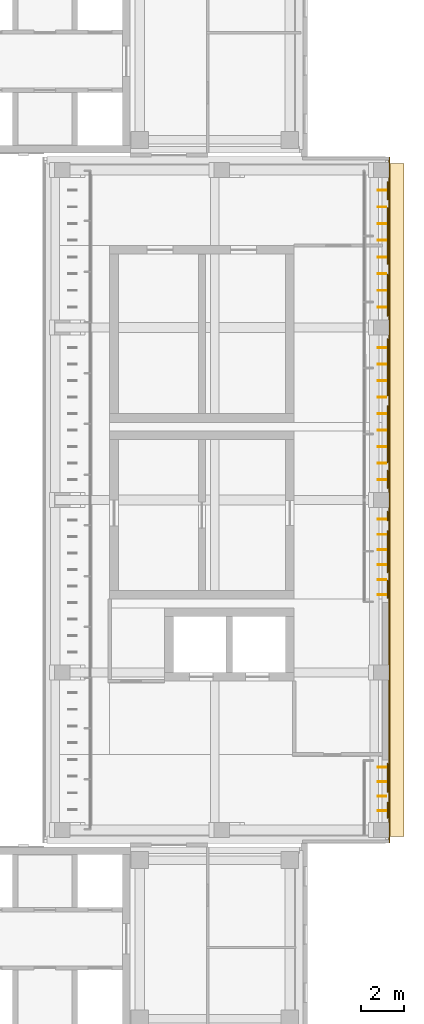
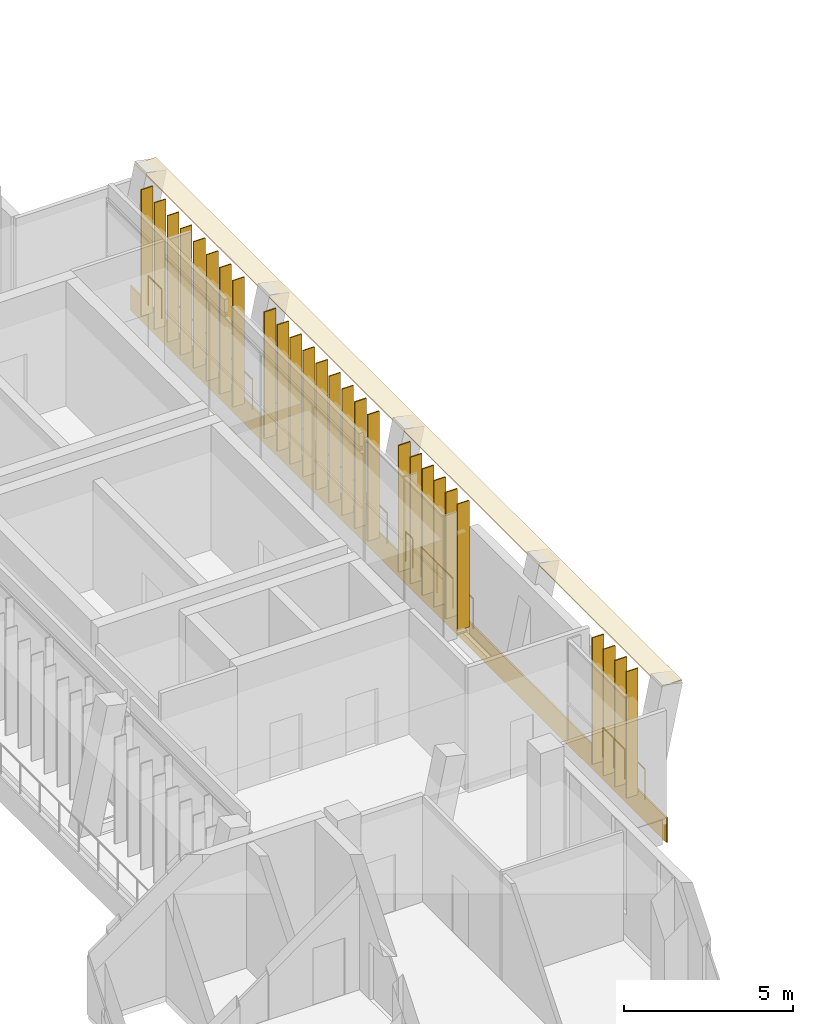
# One storey, part 72 of 74: 27 shading devices, 11 railings, 2 coverings.
"""IFC4 building model written with IfcOpenShell, lengths in metres."""

import ifcopenshell
import ifcopenshell.guid

model = None  # the IFC model being written
_history = None  # IfcOwnerHistory: only IFC2X3 demands one
_inside = {}  # id of a spatial element -> (the spatial element, [elements in it])
_under = {}  # id of a project, library or spatial element -> (it, [spatial elements below it])
_declared = {}  # id of a project -> (the project, [libraries it declares])
_typed = {}  # id of a type object -> (the type object, [elements of that type])
_made_of = {}  # id of a material, layer set ... -> (it, [elements and type objects made of it])


def new_model(schema):
    """Start an empty IFC model of exactly this schema.

    Asked for "IFC4X3", IfcOpenShell would pick the latest addendum, in which some entities
    have other attributes; the version numbers below select the first issue.
    IFC2X3 requires an IfcOwnerHistory on every rooted entity: one is made here for all.
    """
    global model, _history
    if schema == "IFC4X3":
        model = ifcopenshell.file(schema_version=(4, 3, 0, 0))
    else:
        model = ifcopenshell.file(schema=schema)
    _inside.clear()
    _under.clear()
    _declared.clear()
    _typed.clear()
    _made_of.clear()
    _history = None
    if model.schema == "IFC2X3":
        org = make("IfcOrganization", Name="unknown")
        user = make(
            "IfcPersonAndOrganization",
            ThePerson=make("IfcPerson", FamilyName="unknown"),
            TheOrganization=org,
        )
        app = make(
            "IfcApplication",
            ApplicationDeveloper=org,
            Version="unknown",
            ApplicationFullName="unknown",
            ApplicationIdentifier="unknown",
        )
        _history = make(
            "IfcOwnerHistory",
            OwningUser=user,
            OwningApplication=app,
            ChangeAction="ADDED",
            CreationDate=0,
        )
    return model


def make(cls, **values):
    """One entity of the class cls with the attributes given. An attribute that is None is left unset."""
    return model.create_entity(
        cls, **{name: value for name, value in values.items() if value is not None}
    )


def rooted(cls, **values):
    """An entity with a GlobalId (a new one), such as an element, a storey or a relation."""
    return make(cls, GlobalId=ifcopenshell.guid.new(), OwnerHistory=_history, **values)


def si_unit(unit_type, name, prefix=None):
    """IfcSIUnit, for example si_unit("LENGTHUNIT", "METRE", prefix="MILLI")."""
    return make("IfcSIUnit", UnitType=unit_type, Prefix=prefix, Name=name)


def assignment(units):
    """IfcUnitAssignment: the units of a project."""
    return None if units is None else make("IfcUnitAssignment", Units=units)


def point(xyz):
    """IfcCartesianPoint."""
    return None if xyz is None else make("IfcCartesianPoint", Coordinates=xyz)


def direction(xyz):
    """IfcDirection."""
    return None if xyz is None else make("IfcDirection", DirectionRatios=xyz)


def frame(location, z_axis=None, x_axis=None):
    """IfcAxis2Placement3D, a coordinate frame: its origin and axes. An axis left out is left unset."""
    return make(
        "IfcAxis2Placement3D",
        Location=point(location),
        Axis=direction(z_axis),
        RefDirection=direction(x_axis),
    )


def frame_2d(location, x_axis=None):
    """IfcAxis2Placement2D, a coordinate frame in the plane: its origin and x axis."""
    return make(
        "IfcAxis2Placement2D", Location=point(location), RefDirection=direction(x_axis)
    )


def origin():
    """The frame at (0, 0, 0) with its axes left unset."""
    return frame((0.0, 0.0, 0.0))


def origin_2d():
    """The frame at (0, 0) in the plane with its x axis left unset."""
    return frame_2d((0.0, 0.0))


def place(relative_to, where):
    """IfcLocalPlacement: puts the frame where relative to a parent placement (None: the world)."""
    return make(
        "IfcLocalPlacement", PlacementRelTo=relative_to, RelativePlacement=where
    )


def context(
    kind, dimensions, precision=None, world=None, true_north=None, identifier=None
):
    """IfcGeometricRepresentationContext, for example the 3D "Model" context."""
    return make(
        "IfcGeometricRepresentationContext",
        ContextIdentifier=identifier,
        ContextType=kind,
        CoordinateSpaceDimension=dimensions,
        Precision=precision,
        WorldCoordinateSystem=world,
        TrueNorth=true_north,
    )


def subcontext(parent, identifier, kind, view, scale=None):
    """IfcGeometricRepresentationSubContext, for example "Body" below "Model"."""
    return make(
        "IfcGeometricRepresentationSubContext",
        ContextIdentifier=identifier,
        ContextType=kind,
        ParentContext=parent,
        TargetScale=scale,
        TargetView=view,
    )


def project(units=None, contexts=None):
    """IfcProject with its units and contexts."""
    return rooted(
        "IfcProject",
        Name="project",
        RepresentationContexts=contexts,
        UnitsInContext=assignment(units),
    )


def spatial(cls, under=None, at=None, **own):
    """A site, building, storey or space (cls), placed at a placement, below another one or the project."""
    s = rooted(cls, ObjectPlacement=at, **own)
    if under is not None:
        _under.setdefault(under.id(), (under, []))[1].append(s)
    return s


def profile(cls, at=None, kind="AREA", **sizes):
    """A parametric profile (cls). Its sizes go by their IFC names, for example OverallWidth=200.0."""
    return make(cls, ProfileType=kind, Position=at, **sizes)


def rectangle(**sizes):
    """IfcRectangleProfileDef."""
    return profile("IfcRectangleProfileDef", **sizes)


def circle(**sizes):
    """IfcCircleProfileDef."""
    return profile("IfcCircleProfileDef", **sizes)


def extrude(swept, where, along, depth):
    """IfcExtrudedAreaSolid: the profile swept, set in the frame where, extruded along a direction by depth."""
    return make(
        "IfcExtrudedAreaSolid",
        SweptArea=swept,
        Position=where,
        ExtrudedDirection=direction(along),
        Depth=depth,
    )


def shape(context_of_items, identifier, shape_type, items):
    """IfcShapeRepresentation: the items that make up one representation, for example the "Body"."""
    return make(
        "IfcShapeRepresentation",
        ContextOfItems=context_of_items,
        RepresentationIdentifier=identifier,
        RepresentationType=shape_type,
        Items=items,
    )


def material(Name=None, Category=None):
    """IfcMaterial."""
    return make("IfcMaterial", Name=Name, Category=Category)


def layer(
    of_material, thickness, ventilated=None, Name=None, Category=None, Priority=None
):
    """IfcMaterialLayer: one layer of a wall or slab, of a material (None: an air gap)."""
    return make(
        "IfcMaterialLayer",
        Material=of_material,
        LayerThickness=thickness,
        IsVentilated=ventilated,
        Name=Name,
        Category=Category,
        Priority=Priority,
    )


def layer_set(layers, Name=None):
    """IfcMaterialLayerSet."""
    return make("IfcMaterialLayerSet", MaterialLayers=layers, LayerSetName=Name)


def made_of(thing, what):
    """Note that an element or type object is made of a material, layer set ...; save() writes the relation."""
    if what is not None:
        _made_of.setdefault(what.id(), (what, []))[1].append(thing)
    return thing


def type_object(cls, material=None, **own):
    """A type object (cls), such as IfcWallType, which elements share."""
    return made_of(rooted(cls, **own), material)


def element(
    cls,
    number,
    at=None,
    inside=None,
    cuts=None,
    type_object=None,
    material=None,
    context=None,
    identifier="Body",
    shape_type=None,
    held_by="IfcProductDefinitionShape",
    body=None,
    shapes=None,
    **own,
):
    """One element of the class cls, such as IfcWall. Its Tag is "e" and its number.

    at: its placement. inside: the storey or other place that contains it. cuts: it is an
    opening in that element (IfcRelVoidsElement). A single representation is given by context,
    identifier, shape_type and body (its items); several are given by shapes. held_by: the class
    of the entity that holds the representations. save() writes the other relations.
    """
    e = rooted(cls, Tag="e%d" % number, ObjectPlacement=at, **own)
    if body is not None:
        shapes = [shape(context, identifier, shape_type, body)]
    if shapes is not None:
        e.Representation = make(held_by, Representations=shapes)
    if inside is not None:
        _inside.setdefault(inside.id(), (inside, []))[1].append(e)
    if cuts is not None:
        rooted(
            "IfcRelVoidsElement", RelatingBuildingElement=cuts, RelatedOpeningElement=e
        )
    if type_object is not None:
        _typed.setdefault(type_object.id(), (type_object, []))[1].append(e)
    return made_of(e, material)


def aggregate(whole, parts):
    """IfcRelAggregates: a whole, such as a stair, and the parts it consists of."""
    return rooted("IfcRelAggregates", RelatingObject=whole, RelatedObjects=parts)


def save(model, path):
    """Write the relations noted so far, then the file.

    IfcRelAggregates (storeys below a building ...), IfcRelContainedInSpatialStructure (elements
    in a storey), IfcRelDefinesByType, IfcRelAssociatesMaterial and IfcRelDeclares: one each for
    every whole, place, type object, material and project.
    """
    for whole, parts in _under.values():
        aggregate(whole, parts)
    for where, things in _inside.values():
        rooted(
            "IfcRelContainedInSpatialStructure",
            RelatedElements=things,
            RelatingStructure=where,
        )
    for kind, things in _typed.values():
        rooted("IfcRelDefinesByType", RelatedObjects=things, RelatingType=kind)
    for what, things in _made_of.values():
        rooted("IfcRelAssociatesMaterial", RelatedObjects=things, RelatingMaterial=what)
    for by, libraries in _declared.values():
        rooted("IfcRelDeclares", RelatingContext=by, RelatedDefinitions=libraries)
    model.write(path)


model = new_model("IFC4")

# Units and contexts
model_context = context("Model", 3, precision=1e-05, world=origin(), true_north=direction((0.0, 1.0)))
body_context = subcontext(model_context, "Body", "Model", "MODEL_VIEW")
ifc_project = project(units=[si_unit("LENGTHUNIT", "METRE"), si_unit("AREAUNIT", "SQUARE_METRE"), si_unit("VOLUMEUNIT", "CUBIC_METRE"), si_unit("PLANEANGLEUNIT", "RADIAN"), si_unit("MASSUNIT", "GRAM", prefix="KILO")], contexts=[model_context])

# Site, building, storey
site_placement = place(None, origin())
site = spatial("IfcSite", under=ifc_project, at=site_placement, CompositionType="ELEMENT")
building_placement = place(site_placement, origin())
building = spatial("IfcBuilding", under=site, at=building_placement, Name="Lantern Court Media Centre", CompositionType="ELEMENT")
storey_placement = place(building_placement, frame((0.0, 0.0, 19.199951171875)))
storey = spatial("IfcBuildingStorey", under=building, at=storey_placement, Name="L04", CompositionType="ELEMENT", Elevation=19.199951171875)

# Railings
ifc_material_1 = material(Name="Powder-coated steel", Category="steel")
railing_type = type_object("IfcRailingType", Name="Floor edge guard 1100", PredefinedType="GUARDRAIL", material=ifc_material_1)
railing_1_placement = place(storey_placement, frame((99.93994140625, 94.740966796875, 0.0)))
element("IfcRailing", 1, at=railing_1_placement, inside=storey, type_object=railing_type, Name="L04 edge guard 142", PredefinedType="GUARDRAIL", context=body_context, shape_type="SweptSolid", body=[
    extrude(circle(Radius=0.02392578125, at=origin_2d()), frame((0.0, 0.0, 1.076171875), z_axis=(0.0, -1.0, 0.0), x_axis=(1.0, 0.0, 0.0)), (0.0, 0.0, 1.0), 0.800048828125),
    extrude(circle(Radius=0.02099609375, at=origin_2d()), origin(), (0.0, 0.0, 1.0), 1.052001953125),
    extrude(circle(Radius=0.02099609375, at=origin_2d()), frame((0.0, -0.800048828125, 0.0)), (0.0, 0.0, 1.0), 1.052001953125),
])
railing_2_placement = place(storey_placement, frame((99.93994140625, 93.5419921875, 0.0)))
element("IfcRailing", 2, at=railing_2_placement, inside=storey, type_object=railing_type, Name="L04 edge guard 143", PredefinedType="GUARDRAIL", context=body_context, shape_type="SweptSolid", body=[
    extrude(circle(Radius=0.02392578125, at=origin_2d()), frame((0.0, 0.0, 1.076171875), z_axis=(0.0, -1.0, 0.0), x_axis=(1.0, 0.0, 0.0)), (0.0, 0.0, 1.0), 2.597900390625),
    extrude(circle(Radius=0.02099609375, at=origin_2d()), origin(), (0.0, 0.0, 1.0), 1.052001953125),
    extrude(circle(Radius=0.02099609375, at=origin_2d()), frame((0.0, -0.865966796875, 0.0)), (0.0, 0.0, 1.0), 1.052001953125),
    extrude(circle(Radius=0.02099609375, at=origin_2d()), frame((0.0, -1.73193359375, 0.0)), (0.0, 0.0, 1.0), 1.052001953125),
    extrude(circle(Radius=0.02099609375, at=origin_2d()), frame((0.0, -2.597900390625, 0.0)), (0.0, 0.0, 1.0), 1.052001953125),
])
railing_3_placement = place(storey_placement, frame((99.93994140625, 90.444091796875, 0.0)))
element("IfcRailing", 3, at=railing_3_placement, inside=storey, type_object=railing_type, Name="L04 edge guard 144", PredefinedType="GUARDRAIL", context=body_context, shape_type="SweptSolid", body=[
    extrude(circle(Radius=0.02392578125, at=origin_2d()), frame((0.0, 0.0, 1.076171875), z_axis=(0.0, -1.0, 0.0), x_axis=(1.0, 0.0, 0.0)), (0.0, 0.0, 1.0), 1.898193359375),
    extrude(circle(Radius=0.02099609375, at=origin_2d()), origin(), (0.0, 0.0, 1.0), 1.052001953125),
    extrude(circle(Radius=0.02099609375, at=origin_2d()), frame((0.0, -0.94921875, 0.0)), (0.0, 0.0, 1.0), 1.052001953125),
    extrude(circle(Radius=0.02099609375, at=origin_2d()), frame((0.0, -1.898193359375, 0.0)), (0.0, 0.0, 1.0), 1.052001953125),
])
railing_4_placement = place(storey_placement, frame((99.93994140625, 87.447021484375, 0.0)))
element("IfcRailing", 4, at=railing_4_placement, inside=storey, type_object=railing_type, Name="L04 edge guard 145", PredefinedType="GUARDRAIL", context=body_context, shape_type="SweptSolid", body=[
    extrude(circle(Radius=0.02392578125, at=origin_2d()), frame((0.0, 0.0, 1.076171875), z_axis=(0.0, -1.0, 0.0), x_axis=(1.0, 0.0, 0.0)), (0.0, 0.0, 1.0), 2.597900390625),
    extrude(circle(Radius=0.02099609375, at=origin_2d()), origin(), (0.0, 0.0, 1.0), 1.052001953125),
    extrude(circle(Radius=0.02099609375, at=origin_2d()), frame((0.0, -0.865966796875, 0.0)), (0.0, 0.0, 1.0), 1.052001953125),
    extrude(circle(Radius=0.02099609375, at=origin_2d()), frame((0.0, -1.73193359375, 0.0)), (0.0, 0.0, 1.0), 1.052001953125),
    extrude(circle(Radius=0.02099609375, at=origin_2d()), frame((0.0, -2.597900390625, 0.0)), (0.0, 0.0, 1.0), 1.052001953125),
])
railing_5_placement = place(storey_placement, frame((99.93994140625, 84.35009765625, 0.0)))
element("IfcRailing", 5, at=railing_5_placement, inside=storey, type_object=railing_type, Name="L04 edge guard 146", PredefinedType="GUARDRAIL", context=body_context, shape_type="SweptSolid", body=[
    extrude(circle(Radius=0.02392578125, at=origin_2d()), frame((0.0, 0.0, 1.076171875), z_axis=(0.0, -1.0, 0.0), x_axis=(1.0, 0.0, 0.0)), (0.0, 0.0, 1.0), 2.59814453125),
    extrude(circle(Radius=0.02099609375, at=origin_2d()), origin(), (0.0, 0.0, 1.0), 1.052001953125),
    extrude(circle(Radius=0.02099609375, at=origin_2d()), frame((0.0, -0.865966796875, 0.0)), (0.0, 0.0, 1.0), 1.052001953125),
    extrude(circle(Radius=0.02099609375, at=origin_2d()), frame((0.0, -1.732177734375, 0.0)), (0.0, 0.0, 1.0), 1.052001953125),
    extrude(circle(Radius=0.02099609375, at=origin_2d()), frame((0.0, -2.59814453125, 0.0)), (0.0, 0.0, 1.0), 1.052001953125),
])
railing_6_placement = place(storey_placement, frame((99.93994140625, 81.35205078125, 0.0)))
element("IfcRailing", 6, at=railing_6_placement, inside=storey, type_object=railing_type, Name="L04 edge guard 147", PredefinedType="GUARDRAIL", context=body_context, shape_type="SweptSolid", body=[
    extrude(circle(Radius=0.02392578125, at=origin_2d()), frame((0.0, 0.0, 1.076171875), z_axis=(0.0, -1.0, 0.0), x_axis=(1.0, 0.0, 0.0)), (0.0, 0.0, 1.0), 0.799072265625),
    extrude(circle(Radius=0.02099609375, at=origin_2d()), origin(), (0.0, 0.0, 1.0), 1.052001953125),
    extrude(circle(Radius=0.02099609375, at=origin_2d()), frame((0.0, -0.799072265625, 0.0)), (0.0, 0.0, 1.0), 1.052001953125),
])
railing_7_placement = place(storey_placement, frame((99.93994140625, 79.4541015625, 0.0)))
element("IfcRailing", 7, at=railing_7_placement, inside=storey, type_object=railing_type, Name="L04 edge guard 148", PredefinedType="GUARDRAIL", context=body_context, shape_type="SweptSolid", body=[
    extrude(circle(Radius=0.02392578125, at=origin_2d()), frame((0.0, 0.0, 1.076171875), z_axis=(0.0, -1.0, 0.0), x_axis=(1.0, 0.0, 0.0)), (0.0, 0.0, 1.0), 0.400146484375),
    extrude(circle(Radius=0.02099609375, at=origin_2d()), origin(), (0.0, 0.0, 1.0), 1.052001953125),
    extrude(circle(Radius=0.02099609375, at=origin_2d()), frame((0.0, -0.400146484375, 0.0)), (0.0, 0.0, 1.0), 1.052001953125),
])
railing_8_placement = place(storey_placement, frame((99.93994140625, 78.554931640625, 0.0)))
element("IfcRailing", 8, at=railing_8_placement, inside=storey, type_object=railing_type, Name="L04 edge guard 149", PredefinedType="GUARDRAIL", context=body_context, shape_type="SweptSolid", body=[
    extrude(circle(Radius=0.02392578125, at=origin_2d()), frame((0.0, 0.0, 1.076171875), z_axis=(0.0, -1.0, 0.0), x_axis=(1.0, 0.0, 0.0)), (0.0, 0.0, 1.0), 1.89892578125),
    extrude(circle(Radius=0.02099609375, at=origin_2d()), origin(), (0.0, 0.0, 1.0), 1.052001953125),
    extrude(circle(Radius=0.02099609375, at=origin_2d()), frame((0.0, -0.949462890625, 0.0)), (0.0, 0.0, 1.0), 1.052001953125),
    extrude(circle(Radius=0.02099609375, at=origin_2d()), frame((0.0, -1.89892578125, 0.0)), (0.0, 0.0, 1.0), 1.052001953125),
])
railing_9_placement = place(storey_placement, frame((99.93994140625, 76.256103515625, 0.0)))
element("IfcRailing", 9, at=railing_9_placement, inside=storey, type_object=railing_type, Name="L04 edge guard 150", PredefinedType="GUARDRAIL", context=body_context, shape_type="SweptSolid", body=[
    extrude(circle(Radius=0.02392578125, at=origin_2d()), frame((0.0, 0.0, 1.076171875), z_axis=(0.0, -1.0, 0.0), x_axis=(1.0, 0.0, 0.0)), (0.0, 0.0, 1.0), 0.799072265625),
    extrude(circle(Radius=0.02099609375, at=origin_2d()), origin(), (0.0, 0.0, 1.0), 1.052001953125),
    extrude(circle(Radius=0.02099609375, at=origin_2d()), frame((0.0, -0.799072265625, 0.0)), (0.0, 0.0, 1.0), 1.052001953125),
])
railing_10_placement = place(storey_placement, frame((99.93994140625, 67.763916015625, 0.0)))
element("IfcRailing", 10, at=railing_10_placement, inside=storey, type_object=railing_type, Name="L04 edge guard 151", PredefinedType="GUARDRAIL", context=body_context, shape_type="SweptSolid", body=[
    extrude(circle(Radius=0.02392578125, at=origin_2d()), frame((0.0, 0.0, 1.076171875), z_axis=(0.0, -1.0, 0.0), x_axis=(1.0, 0.0, 0.0)), (0.0, 0.0, 1.0), 1.298828125),
    extrude(circle(Radius=0.02099609375, at=origin_2d()), origin(), (0.0, 0.0, 1.0), 1.052001953125),
    extrude(circle(Radius=0.02099609375, at=origin_2d()), frame((0.0, -0.6494140625, 0.0)), (0.0, 0.0, 1.0), 1.052001953125),
    extrude(circle(Radius=0.02099609375, at=origin_2d()), frame((0.0, -1.298828125, 0.0)), (0.0, 0.0, 1.0), 1.052001953125),
])
railing_11_placement = place(storey_placement, frame((99.93994140625, 65.965087890625, 0.0)))
element("IfcRailing", 11, at=railing_11_placement, inside=storey, type_object=railing_type, Name="L04 edge guard 152", PredefinedType="GUARDRAIL", context=body_context, shape_type="SweptSolid", body=[
    extrude(circle(Radius=0.02392578125, at=origin_2d()), frame((0.0, 0.0, 1.076171875), z_axis=(0.0, -1.0, 0.0), x_axis=(1.0, 0.0, 0.0)), (0.0, 0.0, 1.0), 0.698974609375),
    extrude(circle(Radius=0.02099609375, at=origin_2d()), origin(), (0.0, 0.0, 1.0), 1.052001953125),
    extrude(circle(Radius=0.02099609375, at=origin_2d()), frame((0.0, -0.698974609375, 0.0)), (0.0, 0.0, 1.0), 1.052001953125),
])

# Coverings
ifc_material_2 = material(Name="White glass-fibre reinforced cement cladding", Category="concrete")
ifc_layer_1 = layer(ifc_material_2, 0.050048828125)
ifc_layer_set_1 = layer_set([ifc_layer_1], Name="White glass-fibre reinforced cement cladding")
covering_type_1 = type_object("IfcCoveringType", Name="Floor-edge band 50", PredefinedType="CLADDING", material=ifc_layer_set_1)
covering_1_placement = place(storey_placement, frame((100.02490234375, 64.10009765625, -0.89990234375), z_axis=(0.0, 0.0, 1.0), x_axis=(0.0, 1.0, 0.0)))
element("IfcCovering", 12, at=covering_1_placement, inside=storey, type_object=covering_type_1, Name="Floor-edge band E outer L04", PredefinedType="CLADDING", context=body_context, shape_type="SweptSolid", body=[
    extrude(rectangle(XDim=31.7998046875, YDim=0.050048828125, at=frame_2d((15.89990234375, 0.0))), origin(), (0.0, 0.0, 1.0), 0.89990234375),
])
ifc_material_3 = material(Name="White fibre cement soffit board")
ifc_layer_2 = layer(ifc_material_3, 0.0400390625)
ifc_layer_set_2 = layer_set([ifc_layer_2], Name="White fibre cement soffit board")
covering_type_2 = type_object("IfcCoveringType", Name="Soffit lining 40", PredefinedType="CLADDING", material=ifc_layer_set_2)
covering_2_placement = place(storey_placement, frame((100.35009765625, 64.39990234375, 4.5400390625), z_axis=(0.0, 0.0, 1.0), x_axis=(0.0, 1.0, 0.0)))
element("IfcCovering", 13, at=covering_2_placement, inside=storey, type_object=covering_type_2, Name="Soffit lining E L04", PredefinedType="CLADDING", context=body_context, shape_type="SweptSolid", body=[
    extrude(rectangle(XDim=31.2001953125, YDim=0.699951171875, at=frame_2d((15.60009765625, 0.0))), origin(), (0.0, 0.0, 1.0), 0.0400390625),
])

# Shading devices
ifc_material_4 = material(Name="Bronze anodised aluminium louvre", Category="aluminium")
ifc_layer_3 = layer(ifc_material_4, 0.0400390625)
ifc_layer_set_3 = layer_set([ifc_layer_3], Name="Bronze anodised aluminium louvre")
shading_device_type = type_object("IfcShadingDeviceType", Name="Vertical louvre 40x400 full storey", PredefinedType="USERDEFINED", material=ifc_layer_set_3)
for number, where, z_axis, x_axis, name in (
    (14, (99.679931640625, 65.58740234375, 0.0), (0.0, 0.0, 1.0), (1.0, 0.0, 0.0), "Vertical louvre E outer L04"),
    (15, (99.679931640625, 66.262451171875, 0.0), (0.0, 0.0, 1.0), (1.0, 0.0, 0.0), "Vertical louvre E outer L04"),
    (16, (99.679931640625, 66.9375, 0.0), (0.0, 0.0, 1.0), (1.0, 0.0, 0.0), "Vertical louvre E outer L04"),
    (17, (99.679931640625, 67.612548828125, 0.0), (0.0, 0.0, 1.0), (1.0, 0.0, 0.0), "Vertical louvre E outer L04"),
    (18, (99.679931640625, 75.60009765625, 0.0), (0.0, 0.0, 1.0), (1.0, 0.0, 0.0), "Vertical louvre E outer L04"),
    (19, (99.679931640625, 76.300048828125, 0.0), (0.0, 0.0, 1.0), (1.0, 0.0, 0.0), "Vertical louvre E outer L04"),
    (20, (99.679931640625, 77.0, 0.0), (0.0, 0.0, 1.0), (1.0, 0.0, 0.0), "Vertical louvre E outer L04"),
    (21, (99.679931640625, 77.699951171875, 0.0), (0.0, 0.0, 1.0), (1.0, 0.0, 0.0), "Vertical louvre E outer L04"),
    (22, (99.679931640625, 78.39990234375, 0.0), (0.0, 0.0, 1.0), (1.0, 0.0, 0.0), "Vertical louvre E outer L04"),
    (23, (99.679931640625, 79.10009765625, 0.0), (0.0, 0.0, 1.0), (1.0, 0.0, 0.0), "Vertical louvre E outer L04"),
    (24, (99.679931640625, 80.933349609375, 0.0), (0.0, 0.0, 1.0), (1.0, 0.0, 0.0), "Vertical louvre E outer L04"),
    (25, (99.679931640625, 81.699951171875, 0.0), (0.0, 0.0, 1.0), (1.0, 0.0, 0.0), "Vertical louvre E outer L04"),
    (26, (99.679931640625, 82.466552734375, 0.0), (0.0, 0.0, 1.0), (1.0, 0.0, 0.0), "Vertical louvre E outer L04"),
    (27, (99.679931640625, 83.2333984375, 0.0), (0.0, 0.0, 1.0), (1.0, 0.0, 0.0), "Vertical louvre E outer L04"),
    (28, (99.679931640625, 84.0, 0.0), (0.0, 0.0, 1.0), (1.0, 0.0, 0.0), "Vertical louvre E outer L04"),
    (29, (99.679931640625, 84.7666015625, 0.0), (0.0, 0.0, 1.0), (1.0, 0.0, 0.0), "Vertical louvre E outer L04"),
    (30, (99.679931640625, 85.533447265625, 0.0), (0.0, 0.0, 1.0), (1.0, 0.0, 0.0), "Vertical louvre E outer L04"),
    (31, (99.679931640625, 86.300048828125, 0.0), (0.0, 0.0, 1.0), (1.0, 0.0, 0.0), "Vertical louvre E outer L04"),
    (32, (99.679931640625, 87.066650390625, 0.0), (0.0, 0.0, 1.0), (1.0, 0.0, 0.0), "Vertical louvre E outer L04"),
    (33, (99.679931640625, 88.9375, 0.0), (0.0, 0.0, 1.0), (1.0, 0.0, 0.0), "Vertical louvre E outer L04"),
    (34, (99.679931640625, 89.71240234375, 0.0), (0.0, 0.0, 1.0), (1.0, 0.0, 0.0), "Vertical louvre E outer L04"),
    (35, (99.679931640625, 90.487548828125, 0.0), (0.0, 0.0, 1.0), (1.0, 0.0, 0.0), "Vertical louvre E outer L04"),
    (36, (99.679931640625, 91.262451171875, 0.0), (0.0, 0.0, 1.0), (1.0, 0.0, 0.0), "Vertical louvre E outer L04"),
    (37, (99.679931640625, 92.03759765625, 0.0), (0.0, 0.0, 1.0), (1.0, 0.0, 0.0), "Vertical louvre E outer L04"),
    (38, (99.679931640625, 92.8125, 0.0), (0.0, 0.0, 1.0), (1.0, 0.0, 0.0), "Vertical louvre E outer L04"),
    (39, (99.679931640625, 93.58740234375, 0.0), (0.0, 0.0, 1.0), (1.0, 0.0, 0.0), "Vertical louvre E outer L04"),
    (40, (99.679931640625, 94.362548828125, 0.0), (0.0, 0.0, 1.0), (1.0, 0.0, 0.0), "Vertical louvre E outer L04"),
):
    element("IfcShadingDevice", number, at=place(storey_placement, frame(where, z_axis=z_axis, x_axis=x_axis)), inside=storey, type_object=shading_device_type, Name=name, ObjectType="VERTICAL LOUVRE", PredefinedType="USERDEFINED", context=body_context, shape_type="SweptSolid", body=[
        extrude(rectangle(XDim=0.39990234375, YDim=0.0400390625, at=origin_2d()), origin(), (0.0, 0.0, 1.0), 4.580078125),
    ])

save(model, "model.ifc")
